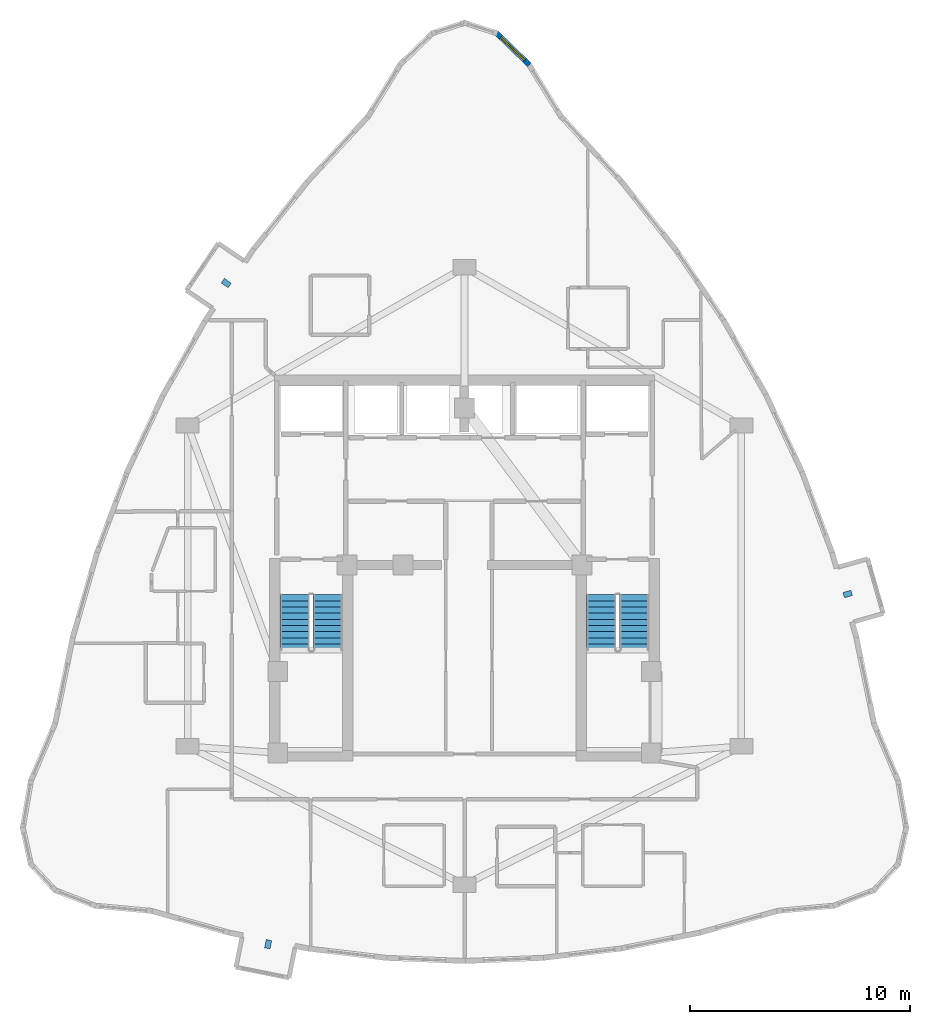
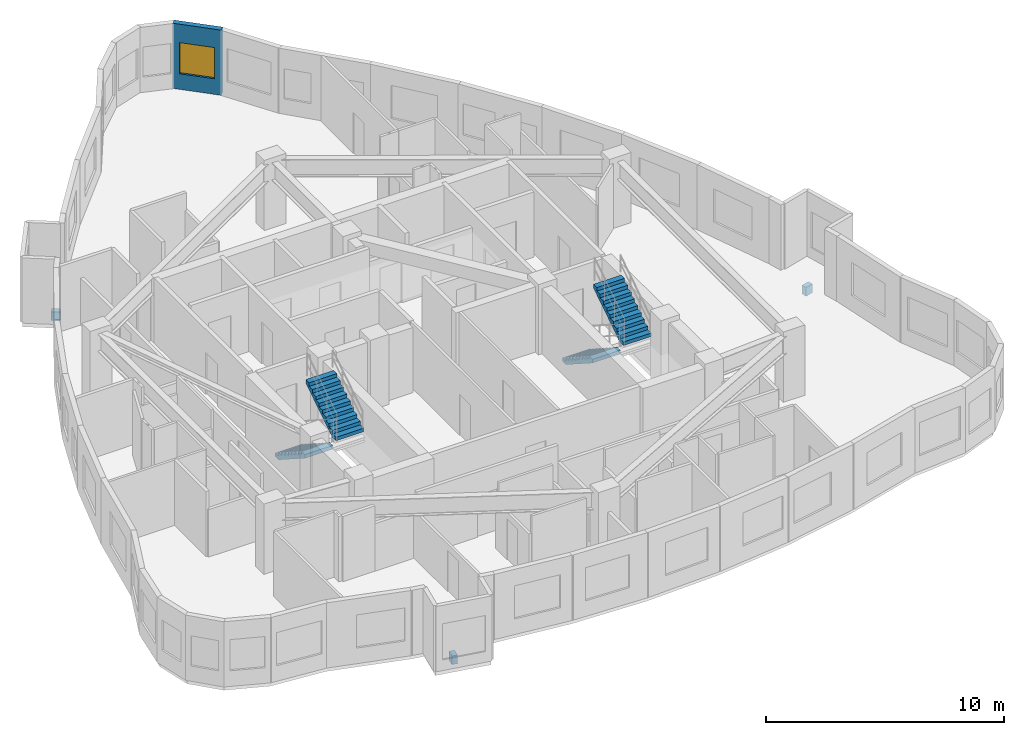
# One storey, part 12 of 13: 4 stair flights, 3 discrete accessories, 1 wall, 1 window, 1 opening, 2 elements without a shape of their own.
"""IFC4 building model written with IfcOpenShell, lengths in metres."""

from ifc_helpers import new_model, si_unit, direction, frame, frame_2d, origin, origin_2d, place, context, subcontext, project, spatial, polyline, rectangle, outline, extrude, material, layer, layer_set, type_object, element, fill, aggregate, save


model = new_model("IFC4")

# Units and contexts
model_context = context("Model", 3, precision=1e-05, world=origin(), true_north=direction((0.0, 1.0)))
body_context = subcontext(model_context, "Body", "Model", "MODEL_VIEW")
ifc_project = project(units=[si_unit("LENGTHUNIT", "METRE"), si_unit("AREAUNIT", "SQUARE_METRE"), si_unit("VOLUMEUNIT", "CUBIC_METRE"), si_unit("PLANEANGLEUNIT", "RADIAN"), si_unit("MASSUNIT", "GRAM", prefix="KILO")], contexts=[model_context])

# Site, building, storey
site_placement = place(None, origin())
site = spatial("IfcSite", under=ifc_project, at=site_placement, CompositionType="ELEMENT")
building_placement = place(site_placement, origin())
building = spatial("IfcBuilding", under=site, at=building_placement, Name="Miruveldt Soraemaru", CompositionType="ELEMENT")
storey_placement = place(building_placement, frame((0.0, 0.0, 198.0)))
storey = spatial("IfcBuildingStorey", under=building, at=storey_placement, Name="L54", CompositionType="ELEMENT", Elevation=198.0)

# Wall, opening, window
ifc_material_1 = material(Name="Precast concrete C45/55 (45 MPa)", Category="concrete")
ifc_layer = layer(ifc_material_1, 0.239990234375, Name="Precast concrete C45/55 (45 MPa)", Category="concrete")
ifc_layer_set = layer_set([ifc_layer], Name="Precast concrete C45/55 (45 MPa)")
wall_type = type_object("IfcWallType", Name="WALL-EXT-PC240", PredefinedType="SOLIDWALL", material=ifc_layer_set)
wall_placement = place(storey_placement, frame((46.953857421875, 66.812744140625, 0.0), z_axis=(0.0, 0.0, 1.0), x_axis=(-0.717784741211, 0.696265082626, 0.0)))
wall = element("IfcWall", 1, at=wall_placement, inside=storey, type_object=wall_type, Name="L54 Precast Concrete Facade Wall 2", PredefinedType="SOLIDWALL", context=body_context, shape_type="SweptSolid", body=[
    extrude(rectangle(XDim=2.110107421875, YDim=0.239990234375, at=frame_2d((1.05517578125, 0.0))), origin(), (0.0, 0.0, 1.0), 3.344970703125),
])
opening_placement = place(wall_placement, frame((0.304931640625, 0.0, 0.800048828125)))
opening = element("IfcOpeningElement", 2, at=opening_placement, cuts=wall, Name="Opening WN-3", PredefinedType="OPENING", context=body_context, shape_type="SweptSolid", body=[
    extrude(rectangle(XDim=1.5, YDim=1.60009765625, at=frame_2d((0.75, 0.800048828125))), frame((0.0, 0.1298828125, 0.0), z_axis=(0.0, -1.0, 0.0), x_axis=(1.0, 0.0, 0.0)), (0.0, 0.0, 1.0), 0.260009765625),
])
ifc_material_2 = material(Name="Triple low-e insulated glazing", Category="glass")
window_type = type_object("IfcWindowType", Name="WIN-PUNCH-1500x1600", PartitioningType="SINGLE_PANEL", PredefinedType="WINDOW", material=ifc_material_2)
window_placement = place(opening_placement, origin())
window = element("IfcWindow", 3, at=window_placement, inside=storey, type_object=window_type, Name="L54 Punched Triple-Glazed Window 02.1", OverallHeight=1.60009765625, OverallWidth=1.5, PartitioningType="SINGLE_PANEL", PredefinedType="WINDOW", context=body_context, shape_type="SweptSolid", body=[
    extrude(rectangle(XDim=1.5, YDim=1.60009765625, at=frame_2d((0.75, 0.800048828125))), frame((0.0, 0.030029296875, 0.0), z_axis=(0.0, -1.0, 0.0), x_axis=(1.0, 0.0, 0.0)), (0.0, 0.0, 1.0), 0.06005859375),
])
fill(opening, window)

# Stair, stair flights
ifc_material_3 = material(Name="Concrete C40/50 (40 MPa)", Category="concrete")
stair_type = type_object("IfcStairType", Name="STAIR-DL-360", PredefinedType="HALF_TURN_STAIR", material=ifc_material_3)
stair_1_placement = place(storey_placement, origin())
stair_1 = element("IfcStair", 4, at=stair_1_placement, inside=storey, type_object=stair_type, Name="L54 Protected Exit Stair ST-1", PredefinedType="HALF_TURN_STAIR")
stair_flight_type = type_object("IfcStairFlightType", Name="SFL-DL-360", PredefinedType="STRAIGHT", material=ifc_material_3)
stair_flight_1_placement = place(storey_placement, frame((36.27490234375, 42.699951171875, 0.0), z_axis=(0.0, 0.0, 1.0), x_axis=(0.0, -1.0, 0.0)))
stair_flight_1 = element("IfcStairFlight", 5, at=stair_flight_1_placement, type_object=stair_flight_type, Name="ST-1 flight 1", NumberOfRisers=10, NumberOfTreads=9, PredefinedType="STRAIGHT", RiserHeight=0.18, TreadLength=0.28, context=body_context, shape_type="SweptSolid", body=[
    extrude(outline(polyline([(0.0, 0.0), (0.0, 0.179931640625), (0.280029296875, 0.179931640625), (0.280029296875, 0.360107421875), (0.56005859375, 0.360107421875), (0.56005859375, 0.5400390625), (0.840087890625, 0.5400390625), (0.840087890625, 0.719970703125), (1.1201171875, 0.719970703125), (1.1201171875, 0.89990234375), (1.39990234375, 0.89990234375), (1.39990234375, 1.080078125), (1.679931640625, 1.080078125), (1.679931640625, 1.260009765625), (1.9599609375, 1.260009765625), (1.9599609375, 1.43994140625), (2.239990234375, 1.43994140625), (2.239990234375, 1.6201171875), (2.52001953125, 1.6201171875), (2.52001953125, 1.800048828125), (2.52001953125, 1.429931640625), (0.295654296875, 0.0), (0.0, 0.0)])), frame((0.0, 0.675048828125, 0.0), z_axis=(0.0, -1.0, 0.0), x_axis=(1.0, 0.0, 0.0)), (0.0, 0.0, 1.0), 1.35009765625),
])
stair_flight_2_placement = place(storey_placement, frame((37.77490234375, 40.179931640625, 1.800048828125), z_axis=(0.0, 0.0, 1.0), x_axis=(0.0, 1.0, 0.0)))
stair_flight_2 = element("IfcStairFlight", 6, at=stair_flight_2_placement, type_object=stair_flight_type, Name="ST-1 flight 2", NumberOfRisers=10, NumberOfTreads=9, PredefinedType="STRAIGHT", RiserHeight=0.18, TreadLength=0.28, context=body_context, shape_type="SweptSolid", body=[
    extrude(outline(polyline([(0.0, 0.0), (0.0, 0.179931640625), (0.280029296875, 0.179931640625), (0.280029296875, 0.360107421875), (0.56005859375, 0.360107421875), (0.56005859375, 0.5400390625), (0.840087890625, 0.5400390625), (0.840087890625, 0.719970703125), (1.1201171875, 0.719970703125), (1.1201171875, 0.89990234375), (1.39990234375, 0.89990234375), (1.39990234375, 1.080078125), (1.679931640625, 1.080078125), (1.679931640625, 1.260009765625), (1.9599609375, 1.260009765625), (1.9599609375, 1.43994140625), (2.239990234375, 1.43994140625), (2.239990234375, 1.6201171875), (2.52001953125, 1.6201171875), (2.52001953125, 1.800048828125), (2.52001953125, 1.429931640625), (0.295654296875, 0.0), (0.0, 0.0)])), frame((0.0, 0.675048828125, 0.0), z_axis=(0.0, -1.0, 0.0), x_axis=(1.0, 0.0, 0.0)), (0.0, 0.0, 1.0), 1.35009765625),
])
aggregate(stair_1, [stair_flight_1, stair_flight_2])

stair_2_placement = place(storey_placement, origin())
stair_2 = element("IfcStair", 7, at=stair_2_placement, inside=storey, type_object=stair_type, Name="L54 Protected Exit Stair ST-2", PredefinedType="HALF_TURN_STAIR")
stair_flight_3_placement = place(storey_placement, frame((50.22509765625, 42.699951171875, 0.0), z_axis=(0.0, 0.0, 1.0), x_axis=(0.0, -1.0, 0.0)))
stair_flight_3 = element("IfcStairFlight", 8, at=stair_flight_3_placement, type_object=stair_flight_type, Name="ST-2 flight 1", NumberOfRisers=10, NumberOfTreads=9, PredefinedType="STRAIGHT", RiserHeight=0.18, TreadLength=0.28, context=body_context, shape_type="SweptSolid", body=[
    extrude(outline(polyline([(0.0, 0.0), (0.0, 0.179931640625), (0.280029296875, 0.179931640625), (0.280029296875, 0.360107421875), (0.56005859375, 0.360107421875), (0.56005859375, 0.5400390625), (0.840087890625, 0.5400390625), (0.840087890625, 0.719970703125), (1.1201171875, 0.719970703125), (1.1201171875, 0.89990234375), (1.39990234375, 0.89990234375), (1.39990234375, 1.080078125), (1.679931640625, 1.080078125), (1.679931640625, 1.260009765625), (1.9599609375, 1.260009765625), (1.9599609375, 1.43994140625), (2.239990234375, 1.43994140625), (2.239990234375, 1.6201171875), (2.52001953125, 1.6201171875), (2.52001953125, 1.800048828125), (2.52001953125, 1.429931640625), (0.295654296875, 0.0), (0.0, 0.0)])), frame((0.0, 0.675048828125, 0.0), z_axis=(0.0, -1.0, 0.0), x_axis=(1.0, 0.0, 0.0)), (0.0, 0.0, 1.0), 1.35009765625),
])
stair_flight_4_placement = place(storey_placement, frame((51.72509765625, 40.179931640625, 1.800048828125), z_axis=(0.0, 0.0, 1.0), x_axis=(0.0, 1.0, 0.0)))
stair_flight_4 = element("IfcStairFlight", 9, at=stair_flight_4_placement, type_object=stair_flight_type, Name="ST-2 flight 2", NumberOfRisers=10, NumberOfTreads=9, PredefinedType="STRAIGHT", RiserHeight=0.18, TreadLength=0.28, context=body_context, shape_type="SweptSolid", body=[
    extrude(outline(polyline([(0.0, 0.0), (0.0, 0.179931640625), (0.280029296875, 0.179931640625), (0.280029296875, 0.360107421875), (0.56005859375, 0.360107421875), (0.56005859375, 0.5400390625), (0.840087890625, 0.5400390625), (0.840087890625, 0.719970703125), (1.1201171875, 0.719970703125), (1.1201171875, 0.89990234375), (1.39990234375, 0.89990234375), (1.39990234375, 1.080078125), (1.679931640625, 1.080078125), (1.679931640625, 1.260009765625), (1.9599609375, 1.260009765625), (1.9599609375, 1.43994140625), (2.239990234375, 1.43994140625), (2.239990234375, 1.6201171875), (2.52001953125, 1.6201171875), (2.52001953125, 1.800048828125), (2.52001953125, 1.429931640625), (0.295654296875, 0.0), (0.0, 0.0)])), frame((0.0, 0.675048828125, 0.0), z_axis=(0.0, -1.0, 0.0), x_axis=(1.0, 0.0, 0.0)), (0.0, 0.0, 1.0), 1.35009765625),
])
aggregate(stair_2, [stair_flight_3, stair_flight_4])

# Discrete accessories
ifc_material_4 = material(Name="Steel SM355 (355 MPa)", Category="steel")
discrete_accessory_type = type_object("IfcDiscreteAccessoryType", Name="ACC-BAY-BRK", PredefinedType="BRACKET", material=ifc_material_4)
for number, where, z_axis, x_axis, name in (
    (10, (33.1552734375, 56.8828125, -0.7001953125), (0.0, 0.0, 1.0), (-0.827913531301, 0.560855761037, 0.0), "L54 Bay Window Cantilever Bracket 1"),
    (11, (35.062255859375, 26.79345703125, -0.7001953125), (0.0, 0.0, 1.0), (-0.196117290802, -0.980580444557, 0.0), "L54 Bay Window Cantilever Bracket 2"),
    (12, (61.438232421875, 42.72998046875, -0.7001953125), (0.0, 0.0, 1.0), (0.961449093633, 0.274982981932, 0.0), "L54 Bay Window Cantilever Bracket 3"),
):
    element("IfcDiscreteAccessory", number, at=place(storey_placement, frame(where, z_axis=z_axis, x_axis=x_axis)), inside=storey, type_object=discrete_accessory_type, Name=name, PredefinedType="BRACKET", context=body_context, shape_type="SweptSolid", body=[
        extrude(rectangle(XDim=0.3798828125, YDim=0.25, at=origin_2d()), origin(), (0.0, 0.0, 1.0), 0.449951171875),
    ])

save(model, "model.ifc")
